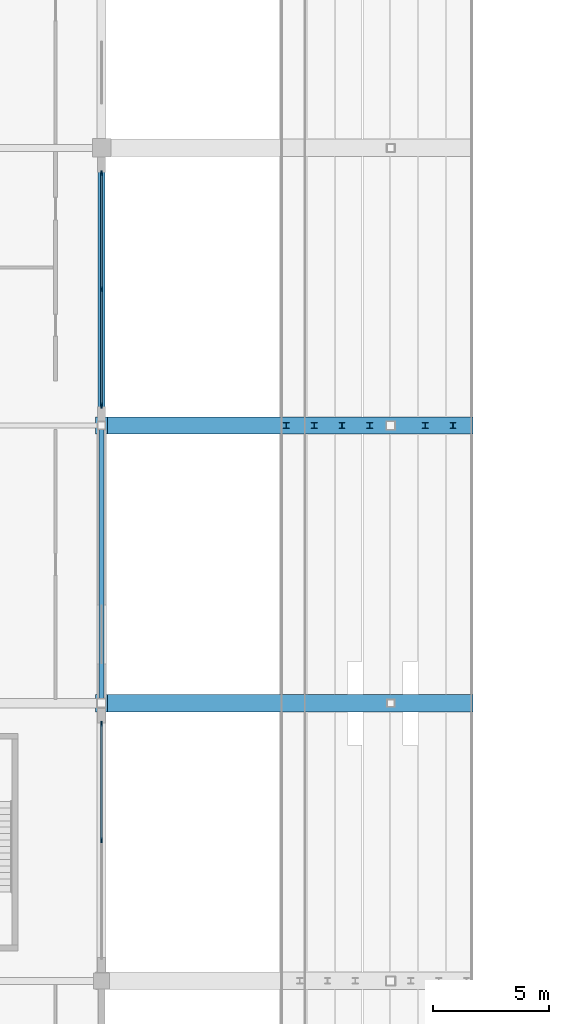
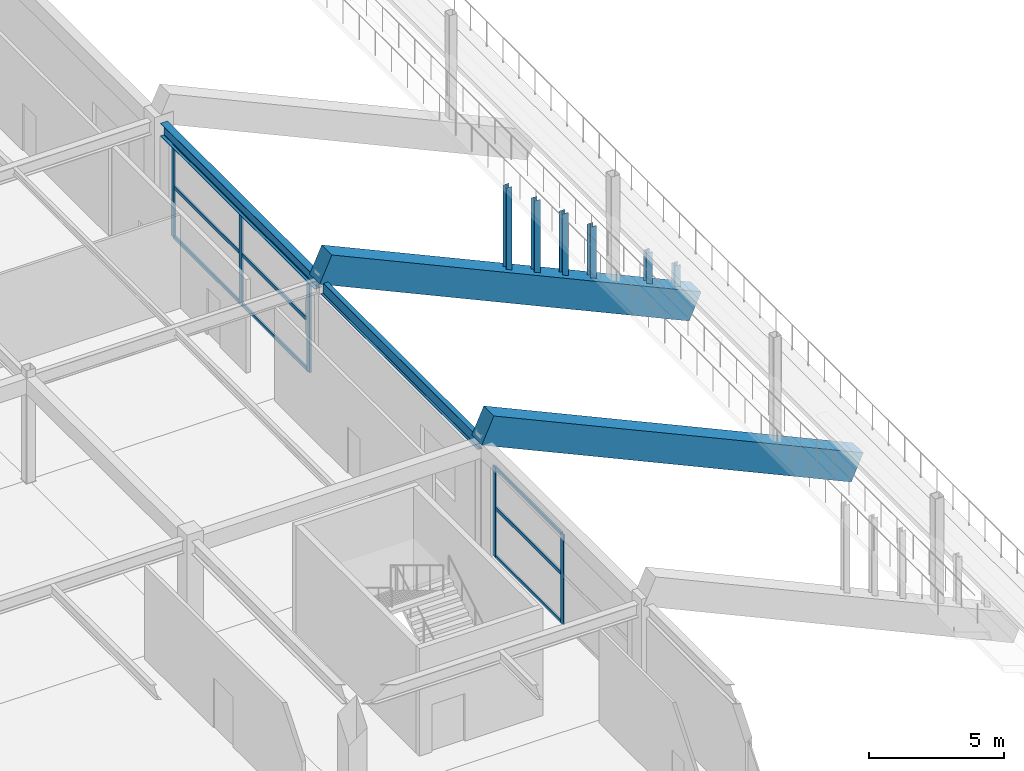
# One storey, part 38 of 128: 20 members, 4 beams, 2 elements without a shape of their own.
"""IFC4 building model written with IfcOpenShell, lengths in metres."""

from ifc_helpers import new_model, si_unit, direction, frame, origin, origin_2d, place, context, subcontext, project, spatial, rectangle, i_section, extrude, material, layer, layer_set, material_profile, profile_set, type_object, element, aggregate, save


model = new_model("IFC4")

# Units and contexts
model_context = context("Model", 3, precision=1e-05, world=origin(), true_north=direction((0.0, 1.0)))
body_context = subcontext(model_context, "Body", "Model", "MODEL_VIEW")
ifc_project = project(units=[si_unit("LENGTHUNIT", "METRE"), si_unit("AREAUNIT", "SQUARE_METRE"), si_unit("VOLUMEUNIT", "CUBIC_METRE"), si_unit("PLANEANGLEUNIT", "RADIAN"), si_unit("MASSUNIT", "GRAM", prefix="KILO")], contexts=[model_context])

# Site, building, storey
site_placement = place(None, origin())
site = spatial("IfcSite", under=ifc_project, at=site_placement, CompositionType="ELEMENT")
building_placement = place(site_placement, origin())
building = spatial("IfcBuilding", under=site, at=building_placement, Name="Kazenohara Klinker Stadium", CompositionType="ELEMENT")
storey_placement = place(building_placement, frame((0.0, 0.0, 15.300048828125)))
storey = spatial("IfcBuildingStorey", under=building, at=storey_placement, Name="L03", CompositionType="ELEMENT", Elevation=15.300048828125)

# Beams
ifc_material_1 = material(Name="Steel S355", Category="steel")
ifc_material_profile_1 = material_profile(ifc_material_1, i_section(OverallWidth=0.199951171875, OverallDepth=0.60009765625, WebThickness=0.010986328125, FlangeThickness=0.01708984375, FilletRadius=0.012939453125, at=origin_2d()), Name="H-600x200x11x17")
ifc_profile_set_1 = profile_set([ifc_material_profile_1], Name="Steel S355")
beam_type_1 = type_object("IfcBeamType", Name="BM-ST04", PredefinedType="BEAM", material=ifc_profile_set_1)
beam_1_placement = place(storey_placement, frame((36.5, 84.199951171875, 4.4599609375), z_axis=(0.0, 1.0, 0.0), x_axis=(-1.0, 0.0, 0.0)))
element("IfcBeam", 1, at=beam_1_placement, inside=storey, type_object=beam_type_1, Name="Primary girder SB04 L03 4/H-J", PredefinedType="BEAM", context=body_context, shape_type="SweptSolid", body=[
    extrude(i_section(OverallWidth=0.199951171875, OverallDepth=0.60009765625, WebThickness=0.010986328125, FlangeThickness=0.01708984375, FilletRadius=0.012939453125, at=origin_2d()), origin(), (0.0, 0.0, 1.0), 11.625),
])
ifc_material_profile_2 = material_profile(ifc_material_1, i_section(OverallWidth=0.300048828125, OverallDepth=0.587890625, WebThickness=0.011962890625, FlangeThickness=0.02001953125, FilletRadius=0.02197265625, at=origin_2d()), Name="H-588x300x12x20")
ifc_profile_set_2 = profile_set([ifc_material_profile_2], Name="Steel S355")
beam_type_2 = type_object("IfcBeamType", Name="BM-ST05", PredefinedType="BEAM", material=ifc_profile_set_2)
beam_2_placement = place(storey_placement, frame((36.5, 96.175048828125, 4.466064453125), z_axis=(0.0, 1.0, 0.0), x_axis=(-1.0, 0.0, 0.0)))
element("IfcBeam", 2, at=beam_2_placement, inside=storey, type_object=beam_type_2, Name="Primary girder SB05 L03 4/J-K", PredefinedType="BEAM", context=body_context, shape_type="SweptSolid", body=[
    extrude(i_section(OverallWidth=0.300048828125, OverallDepth=0.587890625, WebThickness=0.011962890625, FlangeThickness=0.02001953125, FilletRadius=0.02197265625, at=origin_2d()), origin(), (0.0, 0.0, 1.0), 11.425048828125),
])

# Curtain wall, members
ifc_material_2 = material(Name="Anodised aluminium and triple glazing", Category="aluminium")
ifc_layer_1 = layer(ifc_material_2, 0.179931640625)
ifc_layer_set_1 = layer_set([ifc_layer_1], Name="Anodised aluminium and triple glazing")
curtain_wall_type_1 = type_object("IfcCurtainWallType", Name="CW-SYS-02", PredefinedType="USERDEFINED", material=ifc_layer_set_1)
curtain_wall_1_placement = place(storey_placement, origin())
curtain_wall_1 = element("IfcCurtainWall", 3, at=curtain_wall_1_placement, inside=storey, type_object=curtain_wall_type_1, Name="Unitised facade curtain wall CW02 L03 Y3-6", ObjectType="UNITISED CURTAIN WALL", PredefinedType="USERDEFINED")
ifc_material_3 = material(Name="Anodised aluminium 6063-T6", Category="aluminium")
ifc_material_profile_3 = material_profile(ifc_material_3, rectangle(XDim=0.074951171875, YDim=0.219970703125, at=origin_2d()), Name="ALU-MUL-75x220")
ifc_profile_set_3 = profile_set([ifc_material_profile_3], Name="Anodised aluminium 6063-T6")
member_type_1 = type_object("IfcMemberType", Name="CW-MUL-220", PredefinedType="MULLION", material=ifc_profile_set_3)
member_1_placement = place(storey_placement, frame((36.5, 78.074951171875, 0.0), z_axis=(0.0, 0.0, 1.0), x_axis=(-1.0, 0.0, 0.0)))
member_1 = element("IfcMember", 4, at=member_1_placement, type_object=member_type_1, Name="CW02 mullion 2", PredefinedType="MULLION", context=body_context, shape_type="SweptSolid", body=[
    extrude(rectangle(XDim=0.074951171875, YDim=0.219970703125, at=origin_2d()), origin(), (0.0, 0.0, 1.0), 4.06005859375),
])
member_2_placement = place(storey_placement, frame((36.5, 83.1083984375, 0.0), z_axis=(0.0, 0.0, 1.0), x_axis=(-1.0, 0.0, 0.0)))
member_2 = element("IfcMember", 5, at=member_2_placement, type_object=member_type_1, Name="CW02 mullion 3", PredefinedType="MULLION", context=body_context, shape_type="SweptSolid", body=[
    extrude(rectangle(XDim=0.074951171875, YDim=0.219970703125, at=origin_2d()), origin(), (0.0, 0.0, 1.0), 4.06005859375),
])

ifc_layer_2 = layer(ifc_material_2, 0.199951171875)
ifc_layer_set_2 = layer_set([ifc_layer_2], Name="Anodised aluminium and triple glazing")
curtain_wall_type_2 = type_object("IfcCurtainWallType", Name="CW-SYS-03", PredefinedType="USERDEFINED", material=ifc_layer_set_2)
curtain_wall_2_placement = place(storey_placement, origin())
curtain_wall_2 = element("IfcCurtainWall", 6, at=curtain_wall_2_placement, inside=storey, type_object=curtain_wall_type_2, Name="Unitised facade curtain wall CW03 L03 Y3-8", ObjectType="UNITISED CURTAIN WALL", PredefinedType="USERDEFINED")
member_3_placement = place(storey_placement, frame((36.5, 96.866455078125, 0.0), z_axis=(0.0, 0.0, 1.0), x_axis=(-1.0, 0.0, 0.0)))
member_3 = element("IfcMember", 7, at=member_3_placement, type_object=member_type_1, Name="CW03 mullion 1", PredefinedType="MULLION", context=body_context, shape_type="SweptSolid", body=[
    extrude(rectangle(XDim=0.074951171875, YDim=0.219970703125, at=origin_2d()), origin(), (0.0, 0.0, 1.0), 4.171875),
])
member_4_placement = place(storey_placement, frame((36.5, 101.887451171875, 0.0), z_axis=(0.0, 0.0, 1.0), x_axis=(-1.0, 0.0, 0.0)))
member_4 = element("IfcMember", 8, at=member_4_placement, type_object=member_type_1, Name="CW03 mullion 2", PredefinedType="MULLION", context=body_context, shape_type="SweptSolid", body=[
    extrude(rectangle(XDim=0.074951171875, YDim=0.219970703125, at=origin_2d()), origin(), (0.0, 0.0, 1.0), 4.171875),
])
member_5_placement = place(storey_placement, frame((36.5, 106.908447265625, 0.0), z_axis=(0.0, 0.0, 1.0), x_axis=(-1.0, 0.0, 0.0)))
member_5 = element("IfcMember", 9, at=member_5_placement, type_object=member_type_1, Name="CW03 mullion 3", PredefinedType="MULLION", context=body_context, shape_type="SweptSolid", body=[
    extrude(rectangle(XDim=0.074951171875, YDim=0.219970703125, at=origin_2d()), origin(), (0.0, 0.0, 1.0), 4.171875),
])

# Member
ifc_material_profile_4 = material_profile(ifc_material_3, rectangle(XDim=0.074951171875, YDim=0.159912109375, at=origin_2d()), Name="ALU-TRN-75x160")
ifc_profile_set_4 = profile_set([ifc_material_profile_4], Name="Anodised aluminium 6063-T6")
member_type_2 = type_object("IfcMemberType", Name="CW-TRN-160", PredefinedType="USERDEFINED", material=ifc_profile_set_4)
member_6_placement = place(storey_placement, frame((36.5, 78.112548828125, 0.037353515625), z_axis=(0.0, 1.0, 0.0), x_axis=(-1.0, 0.0, 0.0)))
member_6 = element("IfcMember", 10, at=member_6_placement, type_object=member_type_2, Name="CW02 transom 2.1", ObjectType="TRANSOM", PredefinedType="USERDEFINED", context=body_context, shape_type="SweptSolid", body=[
    extrude(rectangle(XDim=0.074951171875, YDim=0.159912109375, at=origin_2d()), origin(), (0.0, 0.0, 1.0), 4.95849609375),
])

member_7_placement = place(storey_placement, frame((36.5, 78.112548828125, 2.23291015625), z_axis=(0.0, 1.0, 0.0), x_axis=(-1.0, 0.0, 0.0)))
member_7 = element("IfcMember", 11, at=member_7_placement, type_object=member_type_2, Name="CW02 transom 2.2", ObjectType="TRANSOM", PredefinedType="USERDEFINED", context=body_context, shape_type="SweptSolid", body=[
    extrude(rectangle(XDim=0.074951171875, YDim=0.159912109375, at=origin_2d()), origin(), (0.0, 0.0, 1.0), 4.95849609375),
])

member_8_placement = place(storey_placement, frame((36.5, 78.112548828125, 4.0224609375), z_axis=(0.0, 1.0, 0.0), x_axis=(-1.0, 0.0, 0.0)))
member_8 = element("IfcMember", 12, at=member_8_placement, type_object=member_type_2, Name="CW02 transom 2.3", ObjectType="TRANSOM", PredefinedType="USERDEFINED", context=body_context, shape_type="SweptSolid", body=[
    extrude(rectangle(XDim=0.074951171875, YDim=0.159912109375, at=origin_2d()), origin(), (0.0, 0.0, 1.0), 4.95849609375),
])

aggregate(curtain_wall_1, [member_1, member_2, member_6, member_7, member_8])

member_9_placement = place(storey_placement, frame((36.5, 96.904052734375, 0.037353515625), z_axis=(0.0, 1.0, 0.0), x_axis=(-1.0, 0.0, 0.0)))
member_9 = element("IfcMember", 13, at=member_9_placement, type_object=member_type_2, Name="CW03 transom 1.1", ObjectType="TRANSOM", PredefinedType="USERDEFINED", context=body_context, shape_type="SweptSolid", body=[
    extrude(rectangle(XDim=0.074951171875, YDim=0.159912109375, at=origin_2d()), origin(), (0.0, 0.0, 1.0), 4.946044921875),
])

member_10_placement = place(storey_placement, frame((36.5, 96.904052734375, 2.29443359375), z_axis=(0.0, 1.0, 0.0), x_axis=(-1.0, 0.0, 0.0)))
member_10 = element("IfcMember", 14, at=member_10_placement, type_object=member_type_2, Name="CW03 transom 1.2", ObjectType="TRANSOM", PredefinedType="USERDEFINED", context=body_context, shape_type="SweptSolid", body=[
    extrude(rectangle(XDim=0.074951171875, YDim=0.159912109375, at=origin_2d()), origin(), (0.0, 0.0, 1.0), 4.946044921875),
])

member_11_placement = place(storey_placement, frame((36.5, 96.904052734375, 4.134521484375), z_axis=(0.0, 1.0, 0.0), x_axis=(-1.0, 0.0, 0.0)))
member_11 = element("IfcMember", 15, at=member_11_placement, type_object=member_type_2, Name="CW03 transom 1.3", ObjectType="TRANSOM", PredefinedType="USERDEFINED", context=body_context, shape_type="SweptSolid", body=[
    extrude(rectangle(XDim=0.074951171875, YDim=0.159912109375, at=origin_2d()), origin(), (0.0, 0.0, 1.0), 4.946044921875),
])

member_12_placement = place(storey_placement, frame((36.5, 101.925048828125, 0.037353515625), z_axis=(0.0, 1.0, 0.0), x_axis=(-1.0, 0.0, 0.0)))
member_12 = element("IfcMember", 16, at=member_12_placement, type_object=member_type_2, Name="CW03 transom 2.1", ObjectType="TRANSOM", PredefinedType="USERDEFINED", context=body_context, shape_type="SweptSolid", body=[
    extrude(rectangle(XDim=0.074951171875, YDim=0.159912109375, at=origin_2d()), origin(), (0.0, 0.0, 1.0), 4.946044921875),
])

member_13_placement = place(storey_placement, frame((36.5, 101.925048828125, 2.29443359375), z_axis=(0.0, 1.0, 0.0), x_axis=(-1.0, 0.0, 0.0)))
member_13 = element("IfcMember", 17, at=member_13_placement, type_object=member_type_2, Name="CW03 transom 2.2", ObjectType="TRANSOM", PredefinedType="USERDEFINED", context=body_context, shape_type="SweptSolid", body=[
    extrude(rectangle(XDim=0.074951171875, YDim=0.159912109375, at=origin_2d()), origin(), (0.0, 0.0, 1.0), 4.946044921875),
])

member_14_placement = place(storey_placement, frame((36.5, 101.925048828125, 4.134521484375), z_axis=(0.0, 1.0, 0.0), x_axis=(-1.0, 0.0, 0.0)))
member_14 = element("IfcMember", 18, at=member_14_placement, type_object=member_type_2, Name="CW03 transom 2.3", ObjectType="TRANSOM", PredefinedType="USERDEFINED", context=body_context, shape_type="SweptSolid", body=[
    extrude(rectangle(XDim=0.074951171875, YDim=0.159912109375, at=origin_2d()), origin(), (0.0, 0.0, 1.0), 4.946044921875),
])

aggregate(curtain_wall_2, [member_3, member_4, member_5, member_9, member_10, member_11, member_12, member_13, member_14])

# Members
ifc_material_profile_5 = material_profile(ifc_material_1, i_section(OverallWidth=0.25, OverallDepth=0.25, WebThickness=0.009033203125, FlangeThickness=0.013916015625, FilletRadius=0.012939453125, at=origin_2d()), Name="H-250x250x9x14")
ifc_profile_set_5 = profile_set([ifc_material_profile_5], Name="Steel S355")
member_type_3 = type_object("IfcMemberType", Name="MEM-STR02", PredefinedType="STRUT", material=ifc_profile_set_5)
member_15_placement = place(storey_placement, frame((44.489990234375, 96.0, 2.04541015625), z_axis=(0.0, 0.0, 1.0), x_axis=(1.0, 0.0, 0.0)))
element("IfcMember", 19, at=member_15_placement, inside=storey, type_object=member_type_3, Name="Precast tier riser stool UPPER-W-01-08", PredefinedType="STRUT", context=body_context, shape_type="SweptSolid", body=[
    extrude(i_section(OverallWidth=0.25, OverallDepth=0.25, WebThickness=0.009033203125, FlangeThickness=0.013916015625, FilletRadius=0.012939453125, at=origin_2d()), origin(), (0.0, 0.0, 1.0), 4.074462890625),
])
member_16_placement = place(storey_placement, frame((45.68994140625, 96.0, 1.49853515625), z_axis=(0.0, 0.0, 1.0), x_axis=(1.0, 0.0, 0.0)))
element("IfcMember", 20, at=member_16_placement, inside=storey, type_object=member_type_3, Name="Precast tier riser stool UPPER-W-02-08", PredefinedType="STRUT", context=body_context, shape_type="SweptSolid", body=[
    extrude(i_section(OverallWidth=0.25, OverallDepth=0.25, WebThickness=0.009033203125, FlangeThickness=0.013916015625, FilletRadius=0.012939453125, at=origin_2d()), origin(), (0.0, 0.0, 1.0), 3.613037109375),
])
member_17_placement = place(storey_placement, frame((46.889892578125, 96.0, 0.95166015625), z_axis=(0.0, 0.0, 1.0), x_axis=(1.0, 0.0, 0.0)))
element("IfcMember", 21, at=member_17_placement, inside=storey, type_object=member_type_3, Name="Precast tier riser stool UPPER-W-03-08", PredefinedType="STRUT", context=body_context, shape_type="SweptSolid", body=[
    extrude(i_section(OverallWidth=0.25, OverallDepth=0.25, WebThickness=0.009033203125, FlangeThickness=0.013916015625, FilletRadius=0.012939453125, at=origin_2d()), origin(), (0.0, 0.0, 1.0), 3.151611328125),
])
member_18_placement = place(storey_placement, frame((48.090087890625, 96.0, 0.40478515625), z_axis=(0.0, 0.0, 1.0), x_axis=(1.0, 0.0, 0.0)))
element("IfcMember", 22, at=member_18_placement, inside=storey, type_object=member_type_3, Name="Precast tier riser stool UPPER-W-04-08", PredefinedType="STRUT", context=body_context, shape_type="SweptSolid", body=[
    extrude(i_section(OverallWidth=0.25, OverallDepth=0.25, WebThickness=0.009033203125, FlangeThickness=0.013916015625, FilletRadius=0.012939453125, at=origin_2d()), origin(), (0.0, 0.0, 1.0), 2.690185546875),
])
member_19_placement = place(storey_placement, frame((50.489990234375, 96.0, -0.68896484375), z_axis=(0.0, 0.0, 1.0), x_axis=(1.0, 0.0, 0.0)))
element("IfcMember", 23, at=member_19_placement, inside=storey, type_object=member_type_3, Name="Precast tier riser stool UPPER-W-06-08", PredefinedType="STRUT", context=body_context, shape_type="SweptSolid", body=[
    extrude(i_section(OverallWidth=0.25, OverallDepth=0.25, WebThickness=0.009033203125, FlangeThickness=0.013916015625, FilletRadius=0.012939453125, at=origin_2d()), origin(), (0.0, 0.0, 1.0), 1.767333984375),
])
member_20_placement = place(storey_placement, frame((51.68994140625, 96.0, -1.235595703125), z_axis=(0.0, 0.0, 1.0), x_axis=(1.0, 0.0, 0.0)))
element("IfcMember", 24, at=member_20_placement, inside=storey, type_object=member_type_3, Name="Precast tier riser stool UPPER-W-07-08", PredefinedType="STRUT", context=body_context, shape_type="SweptSolid", body=[
    extrude(i_section(OverallWidth=0.25, OverallDepth=0.25, WebThickness=0.009033203125, FlangeThickness=0.013916015625, FilletRadius=0.012939453125, at=origin_2d()), origin(), (0.0, 0.0, 1.0), 1.3056640625),
])

# Beams
ifc_material_4 = material(Name="Precast concrete C50/60", Category="concrete")
ifc_material_profile_6 = material_profile(ifc_material_4, rectangle(XDim=0.75, YDim=1.25, at=origin_2d()), Name="PC-RAKER-750x1250")
ifc_profile_set_6 = profile_set([ifc_material_profile_6], Name="Precast concrete C50/60")
beam_type_3 = type_object("IfcBeamType", Name="RAKER-RK02", PredefinedType="USERDEFINED", material=ifc_profile_set_6)
for number, where, z_axis, x_axis, name in (
    (25, (36.5, 84.0, 5.351318359375), (0.909973134945, 0.0, -0.414667208348), (0.0, 1.0, 0.0), "Precast bowl raker girder RK02 UPPER West H"),
    (26, (36.5, 96.0, 5.351318359375), (0.909973134945, 0.0, -0.414667208348), (0.0, 1.0, 0.0), "Precast bowl raker girder RK02 UPPER West J"),
):
    element("IfcBeam", number, at=place(storey_placement, frame(where, z_axis=z_axis, x_axis=x_axis)), inside=storey, type_object=beam_type_3, Name=name, ObjectType="RAKER", PredefinedType="USERDEFINED", context=body_context, shape_type="SweptSolid", body=[
        extrude(rectangle(XDim=0.75, YDim=1.25, at=origin_2d()), origin(), (0.0, 0.0, 1.0), 17.36328125),
    ])

save(model, "model.ifc")
